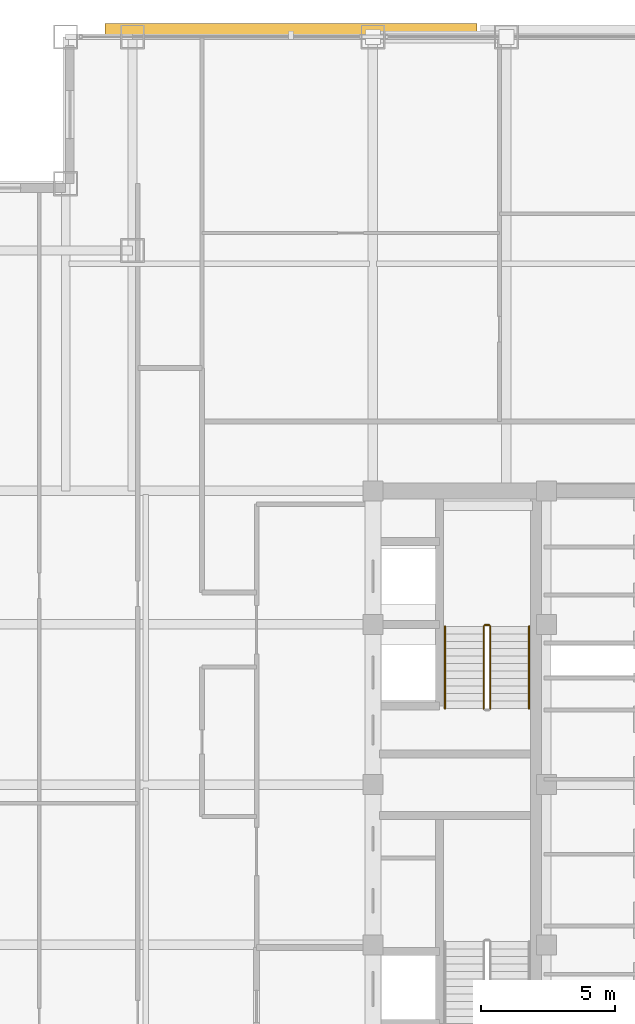
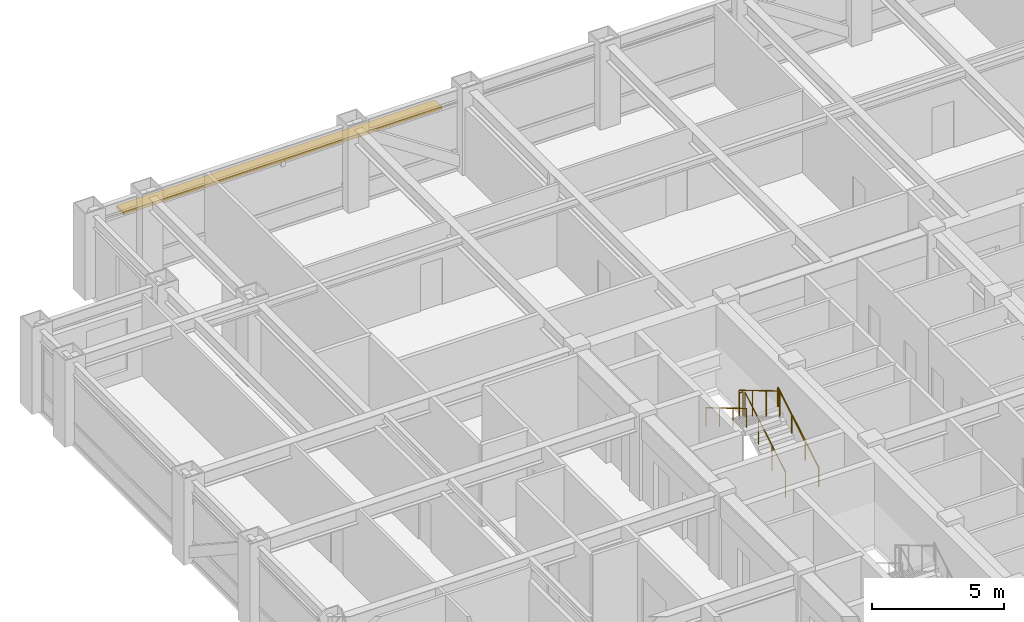
# One storey, part 26 of 27: 5 railings, 1 shading device.
"""IFC4 building model written with IfcOpenShell, lengths in metres."""

from ifc_helpers import new_model, si_unit, direction, frame, origin, origin_2d, place, context, subcontext, project, spatial, rectangle, circle, extrude, source, transform, mapped, material, layer, layer_set, type_object, element, save


model = new_model("IFC4")

# Units and contexts
model_context = context("Model", 3, precision=1e-05, world=origin(), true_north=direction((0.0, 1.0)))
body_context = subcontext(model_context, "Body", "Model", "MODEL_VIEW")
ifc_project = project(units=[si_unit("LENGTHUNIT", "METRE"), si_unit("AREAUNIT", "SQUARE_METRE"), si_unit("VOLUMEUNIT", "CUBIC_METRE"), si_unit("PLANEANGLEUNIT", "RADIAN"), si_unit("MASSUNIT", "GRAM", prefix="KILO")], contexts=[model_context])

# Site, building, storey
site_placement = place(None, origin())
site = spatial("IfcSite", under=ifc_project, at=site_placement, CompositionType="ELEMENT")
building_placement = place(site_placement, origin())
building = spatial("IfcBuilding", under=site, at=building_placement, Name="Khorayat Bourse Tower", CompositionType="ELEMENT")
storey_placement = place(building_placement, frame((0.0, 0.0, 285.5)))
storey = spatial("IfcBuildingStorey", under=building, at=storey_placement, Name="L67", CompositionType="ELEMENT", Elevation=285.5)

# Shading device
ifc_material_1 = material(Name="Precast concrete C45/55", Category="concrete")
ifc_layer = layer(ifc_material_1, 0.139892578125)
ifc_layer_set = layer_set([ifc_layer], Name="Precast concrete C45/55")
shading_device_type = type_object("IfcShadingDeviceType", Name="SHD-WAVE-TRAY-B", PredefinedType="USERDEFINED", material=ifc_layer_set)
shared_shape_1 = source(origin(), body_context, "Body", "SweptSolid", [
    extrude(rectangle(XDim=13.9267578125, YDim=0.523193359375, at=origin_2d()), origin(), (0.0, 0.0, 1.0), 0.139892578125),
])
shading_device_placement = place(storey_placement, frame((-14.066650390625, 28.24169921875, 3.0302734375), z_axis=(0.0, 0.0, 1.0), x_axis=(1.0, 0.0, 0.0)))
element("IfcShadingDevice", 1, at=shading_device_placement, inside=storey, type_object=shading_device_type, Name="L67 Sinusoidal Wave Sunshade Tray N-1", ObjectType="SUNSHADE", PredefinedType="USERDEFINED", context=body_context, shape_type="MappedRepresentation", body=[
    mapped(shared_shape_1, transform((0.0, 0.0, 0.0), scale=1.0)),
])

# Railings
ifc_material_2 = material(Name="Powder-coated steel balustrade", Category="steel")
railing_type_1 = type_object("IfcRailingType", Name="RLG-GUARD-1200", PredefinedType="GUARDRAIL", material=ifc_material_2)
shared_shape_2 = source(origin(), body_context, "Body", "SweptSolid", [
    extrude(circle(Radius=0.02392578125, at=origin_2d()), frame((0.0, 0.0, 1.17578125), z_axis=(-1.0, 0.0, 0.0), x_axis=(0.0, -1.0, 0.0)), (0.0, 0.0, 1.0), 0.150146484375),
    extrude(circle(Radius=0.02099609375, at=origin_2d()), origin(), (0.0, 0.0, 1.0), 1.15185546875),
    extrude(circle(Radius=0.02099609375, at=origin_2d()), frame((-0.150146484375, 0.0, 0.0)), (0.0, 0.0, 1.0), 1.15185546875),
])
railing_1_placement = place(storey_placement, frame((-6.64990234375, 5.97998046875, 2.0)))
element("IfcRailing", 2, at=railing_1_placement, inside=storey, type_object=railing_type_1, Name="L67 ST-2 stair guard 2", PredefinedType="GUARDRAIL", context=body_context, shape_type="MappedRepresentation", body=[
    mapped(shared_shape_2, transform((0.0, 0.0, 0.0), scale=1.0)),
])
shared_shape_3 = source(origin(), body_context, "Body", "SweptSolid", [
    extrude(circle(Radius=0.02392578125, at=origin_2d()), frame((0.0, 0.0, 1.17578125), z_axis=(0.0, 0.859290745958, 0.51148745235), x_axis=(-1.0, 0.0, 0.0)), (0.0, 0.0, 1.0), 3.584228515625),
    extrude(circle(Radius=0.02099609375, at=origin_2d()), origin(), (0.0, 0.0, 1.0), 1.15185546875),
    extrude(circle(Radius=0.02099609375, at=origin_2d()), frame((0.0, 1.026611328125, 0.611083984375)), (0.0, 0.0, 1.0), 1.15185546875),
    extrude(circle(Radius=0.02099609375, at=origin_2d()), frame((0.0, 2.05322265625, 1.22216796875)), (0.0, 0.0, 1.0), 1.15185546875),
    extrude(circle(Radius=0.02099609375, at=origin_2d()), frame((0.0, 3.079833984375, 1.833251953125)), (0.0, 0.0, 1.0), 1.15185546875),
])
railing_2_placement = place(storey_placement, frame((-6.60009765625, 2.85009765625, 0.166748046875)))
element("IfcRailing", 3, at=railing_2_placement, inside=storey, type_object=railing_type_1, Name="L67 ST-2 stair guard 1", PredefinedType="GUARDRAIL", context=body_context, shape_type="MappedRepresentation", body=[
    mapped(shared_shape_3, transform((0.0, 0.0, 0.0), scale=1.0)),
])
shared_shape_4 = source(origin(), body_context, "Body", "SweptSolid", [
    extrude(circle(Radius=0.02392578125, at=origin_2d()), frame((0.0, 0.0, 1.17578125), z_axis=(0.0, -0.859290745958, 0.51148745235), x_axis=(1.0, 0.0, 0.0)), (0.0, 0.0, 1.0), 3.584228515625),
    extrude(circle(Radius=0.02099609375, at=origin_2d()), origin(), (0.0, 0.0, 1.0), 1.15185546875),
    extrude(circle(Radius=0.02099609375, at=origin_2d()), frame((0.0, -1.026611328125, 0.611083984375)), (0.0, 0.0, 1.0), 1.15185546875),
    extrude(circle(Radius=0.02099609375, at=origin_2d()), frame((0.0, -2.05322265625, 1.22216796875)), (0.0, 0.0, 1.0), 1.15185546875),
    extrude(circle(Radius=0.02099609375, at=origin_2d()), frame((0.0, -3.079833984375, 1.833251953125)), (0.0, 0.0, 1.0), 1.15185546875),
])
railing_3_placement = place(storey_placement, frame((-6.85009765625, 5.929931640625, 2.166748046875)))
element("IfcRailing", 4, at=railing_3_placement, inside=storey, type_object=railing_type_1, Name="L67 ST-2 stair guard 3", PredefinedType="GUARDRAIL", context=body_context, shape_type="MappedRepresentation", body=[
    mapped(shared_shape_4, transform((0.0, 0.0, 0.0), scale=1.0)),
])
ifc_material_3 = material(Name="Brushed bronze stainless-steel handrail", Category="steel")
railing_type_2 = type_object("IfcRailingType", Name="RLG-HAND-900", PredefinedType="HANDRAIL", material=ifc_material_3)
shared_shape_5 = source(origin(), body_context, "Body", "SweptSolid", [
    extrude(circle(Radius=0.02392578125, at=origin_2d()), frame((0.0, 0.0, 0.8759765625), z_axis=(0.0, 0.859290745958, 0.51148745235), x_axis=(-1.0, 0.0, 0.0)), (0.0, 0.0, 1.0), 3.584228515625),
    extrude(circle(Radius=0.02099609375, at=origin_2d()), origin(), (0.0, 0.0, 1.0), 0.851806640625),
    extrude(circle(Radius=0.02099609375, at=origin_2d()), frame((0.0, 1.026611328125, 0.611083984375)), (0.0, 0.0, 1.0), 0.851806640625),
    extrude(circle(Radius=0.02099609375, at=origin_2d()), frame((0.0, 2.05322265625, 1.22216796875)), (0.0, 0.0, 1.0), 0.851806640625),
    extrude(circle(Radius=0.02099609375, at=origin_2d()), frame((0.0, 3.079833984375, 1.833251953125)), (0.0, 0.0, 1.0), 0.851806640625),
])
railing_4_placement = place(storey_placement, frame((-5.14990234375, 2.85009765625, 0.166748046875)))
element("IfcRailing", 5, at=railing_4_placement, inside=storey, type_object=railing_type_2, Name="L67 ST-2 stair handrail 1", PredefinedType="HANDRAIL", context=body_context, shape_type="MappedRepresentation", body=[
    mapped(shared_shape_5, transform((0.0, 0.0, 0.0), scale=1.0)),
])
shared_shape_6 = source(origin(), body_context, "Body", "SweptSolid", [
    extrude(circle(Radius=0.02392578125, at=origin_2d()), frame((0.0, 0.0, 0.8759765625), z_axis=(0.0, -0.859290745958, 0.51148745235), x_axis=(1.0, 0.0, 0.0)), (0.0, 0.0, 1.0), 3.584228515625),
    extrude(circle(Radius=0.02099609375, at=origin_2d()), origin(), (0.0, 0.0, 1.0), 0.851806640625),
    extrude(circle(Radius=0.02099609375, at=origin_2d()), frame((0.0, -1.026611328125, 0.611083984375)), (0.0, 0.0, 1.0), 0.851806640625),
    extrude(circle(Radius=0.02099609375, at=origin_2d()), frame((0.0, -2.05322265625, 1.22216796875)), (0.0, 0.0, 1.0), 0.851806640625),
    extrude(circle(Radius=0.02099609375, at=origin_2d()), frame((0.0, -3.079833984375, 1.833251953125)), (0.0, 0.0, 1.0), 0.851806640625),
])
railing_5_placement = place(storey_placement, frame((-8.300048828125, 5.929931640625, 2.166748046875)))
element("IfcRailing", 6, at=railing_5_placement, inside=storey, type_object=railing_type_2, Name="L67 ST-2 stair handrail 2", PredefinedType="HANDRAIL", context=body_context, shape_type="MappedRepresentation", body=[
    mapped(shared_shape_6, transform((0.0, 0.0, 0.0), scale=1.0)),
])

save(model, "model.ifc")
